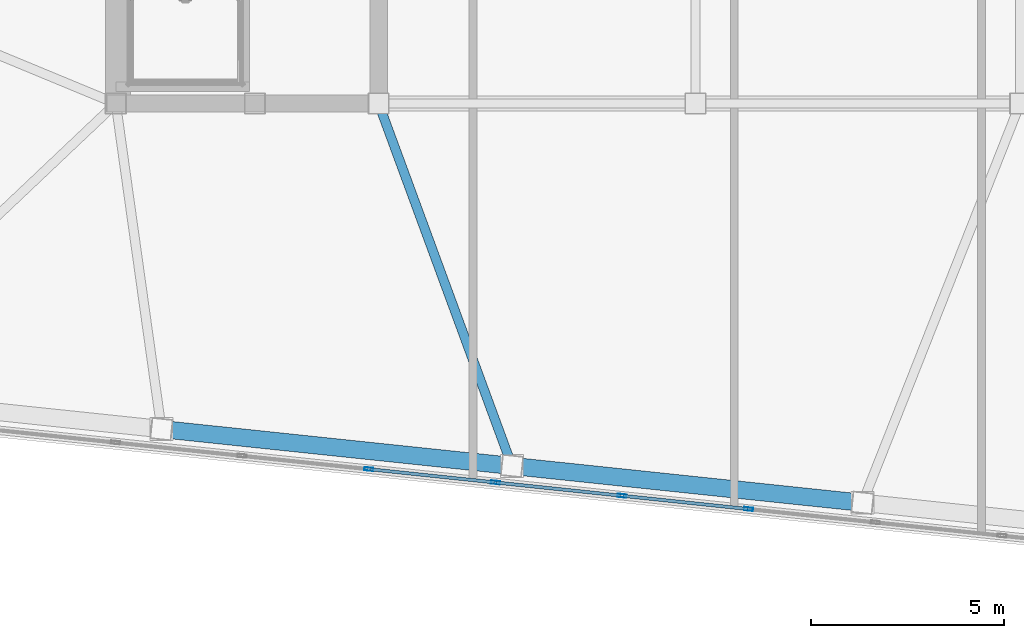
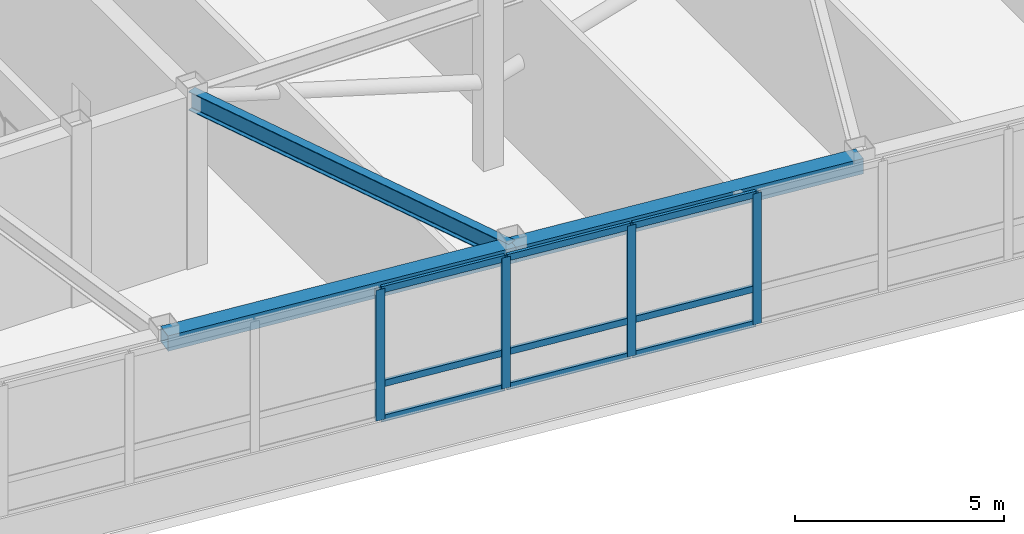
# One storey, part 4 of 23: 13 members, 3 beams, 1 element without a shape of its own.
"""IFC4 building model written with IfcOpenShell, lengths in metres."""

from ifc_helpers import new_model, si_unit, direction, frame, origin, origin_2d, place, context, subcontext, project, spatial, hollow_rectangle, i_section, extrude, material, layer, layer_set, material_profile, profile_set, type_object, element, aggregate, save


model = new_model("IFC4")

# Units and contexts
model_context = context("Model", 3, precision=1e-05, world=origin(), true_north=direction((0.0, 1.0)))
body_context = subcontext(model_context, "Body", "Model", "MODEL_VIEW")
ifc_project = project(units=[si_unit("LENGTHUNIT", "METRE"), si_unit("AREAUNIT", "SQUARE_METRE"), si_unit("VOLUMEUNIT", "CUBIC_METRE"), si_unit("PLANEANGLEUNIT", "RADIAN"), si_unit("MASSUNIT", "GRAM", prefix="KILO")], contexts=[model_context])

# Site, building, storey
site_placement = place(None, origin())
site = spatial("IfcSite", under=ifc_project, at=site_placement, CompositionType="ELEMENT")
building_placement = place(site_placement, origin())
building = spatial("IfcBuilding", under=site, at=building_placement, Name="Voryun Gate Residences", CompositionType="ELEMENT")
storey_placement = place(building_placement, frame((0.0, 0.0, 331.89990234375)))
storey = spatial("IfcBuildingStorey", under=building, at=storey_placement, Name="L81", CompositionType="ELEMENT", Elevation=331.89990234375)

# Beams
ifc_material_1 = material(Name="Steel SM355", Category="steel")
ifc_material_profile_1 = material_profile(ifc_material_1, hollow_rectangle(XDim=0.449951171875, YDim=0.449951171875, WallThickness=0.01806640625, at=origin_2d()), Name="BOX-450x450x18")
ifc_profile_set_1 = profile_set([ifc_material_profile_1], Name="Steel SM355")
beam_type_1 = type_object("IfcBeamType", Name="BM_CROWN_RING", PredefinedType="BEAM", material=ifc_profile_set_1)
beam_1_placement = place(storey_placement, frame((-18.0185546875, -15.824951171875, 4.800048828125), z_axis=(0.994521136856, -0.104535679778, 0.0), x_axis=(0.104535679778, 0.994521136856, 0.0)))
element("IfcBeam", 1, at=beam_1_placement, inside=storey, type_object=beam_type_1, Name="BM-L81-SPAND-02", PredefinedType="BEAM", context=body_context, shape_type="SweptSolid", body=[
    extrude(hollow_rectangle(XDim=0.449951171875, YDim=0.449951171875, WallThickness=0.01806640625, at=origin_2d()), origin(), (0.0, 0.0, 1.0), 9.1201171875),
])
beam_2_placement = place(storey_placement, frame((-8.948486328125, -16.7783203125, 4.800048828125), z_axis=(0.994520844313, -0.104538462908, 0.0), x_axis=(0.104538462908, 0.994520844313, 0.0)))
element("IfcBeam", 2, at=beam_2_placement, inside=storey, type_object=beam_type_1, Name="BM-L81-SPAND-03", PredefinedType="BEAM", context=body_context, shape_type="SweptSolid", body=[
    extrude(hollow_rectangle(XDim=0.449951171875, YDim=0.449951171875, WallThickness=0.01806640625, at=origin_2d()), origin(), (0.0, 0.0, 1.0), 9.119873046875),
])
ifc_material_2 = material(Name="Steel SM355", Category="steel")
ifc_material_profile_2 = material_profile(ifc_material_2, i_section(OverallWidth=0.239990234375, OverallDepth=0.550048828125, WebThickness=0.011962890625, FlangeThickness=0.02001953125, FilletRadius=0.01806640625, at=origin_2d()), Name="H-550x240x12x20")
ifc_profile_set_2 = profile_set([ifc_material_profile_2], Name="Steel SM355")
beam_type_2 = type_object("IfcBeamType", Name="BM_GIRD_550", PredefinedType="USERDEFINED", material=ifc_profile_set_2)
beam_3_placement = place(storey_placement, frame((-12.39990234375, -7.39990234375, 4.75), z_axis=(0.345371356654, -0.938466102746, 0.0), x_axis=(0.938466102746, 0.345371356654, 0.0)))
element("IfcBeam", 3, at=beam_3_placement, inside=storey, type_object=beam_type_2, Name="BM-L81-RAD-S3", ObjectType="GIRDER", PredefinedType="USERDEFINED", context=body_context, shape_type="SweptSolid", body=[
    extrude(i_section(OverallWidth=0.239990234375, OverallDepth=0.550048828125, WebThickness=0.011962890625, FlangeThickness=0.02001953125, FilletRadius=0.01806640625, at=origin_2d()), origin(), (0.0, 0.0, 1.0), 9.993408203125),
])

# Curtain wall, members
ifc_material_3 = material(Name="Anodised aluminium", Category="aluminium")
ifc_layer = layer(ifc_material_3, 0.22998046875, Name="CW_SYS_LANTERN_DARK_GLASS")
ifc_layer_set = layer_set([ifc_layer], Name="Anodised aluminium")
curtain_wall_type = type_object("IfcCurtainWallType", Name="CW_SYS_LANTERN_DARK_GLASS", PredefinedType="NOTDEFINED", material=ifc_layer_set)
curtain_wall_placement = place(storey_placement, origin())
curtain_wall = element("IfcCurtainWall", 4, at=curtain_wall_placement, inside=storey, type_object=curtain_wall_type, Name="Curtain wall CW6-L81-01", PredefinedType="NOTDEFINED")
ifc_material_4 = material(Name="Anodised aluminium", Category="aluminium")
ifc_material_profile_3 = material_profile(ifc_material_4, hollow_rectangle(XDim=0.0849609375, YDim=0.22998046875, WallThickness=0.006103515625, at=origin_2d()), Name="ALU-MULL-230x85x6")
ifc_profile_set_3 = profile_set([ifc_material_profile_3], Name="Anodised aluminium")
member_type_1 = type_object("IfcMemberType", Name="CW_MULL_LANT", PredefinedType="MULLION", material=ifc_profile_set_3)
member_1_placement = place(storey_placement, frame((-2.82421875, -17.89453125, 1.190185546875), z_axis=(0.0, 0.0, 1.0), x_axis=(-0.10452775858, -0.994521969434, 0.0)))
member_1 = element("IfcMember", 5, at=member_1_placement, type_object=member_type_1, Name="CW6 mullion 7", PredefinedType="MULLION", context=body_context, shape_type="SweptSolid", body=[
    extrude(hollow_rectangle(XDim=0.0849609375, YDim=0.22998046875, WallThickness=0.006103515625, at=origin_2d()), origin(), (0.0, 0.0, 1.0), 3.8349609375),
])
member_2_placement = place(storey_placement, frame((-6.10107421875, -17.55029296875, 1.190185546875), z_axis=(0.0, 0.0, 1.0), x_axis=(-0.10452775858, -0.994521969434, 0.0)))
member_2 = element("IfcMember", 6, at=member_2_placement, type_object=member_type_1, Name="CW6 mullion 8", PredefinedType="MULLION", context=body_context, shape_type="SweptSolid", body=[
    extrude(hollow_rectangle(XDim=0.0849609375, YDim=0.22998046875, WallThickness=0.006103515625, at=origin_2d()), origin(), (0.0, 0.0, 1.0), 3.8349609375),
])
member_3_placement = place(storey_placement, frame((-9.377685546875, -17.205810546875, 1.190185546875), z_axis=(0.0, 0.0, 1.0), x_axis=(-0.10452775858, -0.994521969434, 0.0)))
member_3 = element("IfcMember", 7, at=member_3_placement, type_object=member_type_1, Name="CW6 mullion 9", PredefinedType="MULLION", context=body_context, shape_type="SweptSolid", body=[
    extrude(hollow_rectangle(XDim=0.0849609375, YDim=0.22998046875, WallThickness=0.006103515625, at=origin_2d()), origin(), (0.0, 0.0, 1.0), 3.8349609375),
])
member_4_placement = place(storey_placement, frame((-12.654296875, -16.861328125, 1.190185546875), z_axis=(0.0, 0.0, 1.0), x_axis=(-0.10452775858, -0.994521969434, 0.0)))
member_4 = element("IfcMember", 8, at=member_4_placement, type_object=member_type_1, Name="CW6 mullion 10", PredefinedType="MULLION", context=body_context, shape_type="SweptSolid", body=[
    extrude(hollow_rectangle(XDim=0.0849609375, YDim=0.22998046875, WallThickness=0.006103515625, at=origin_2d()), origin(), (0.0, 0.0, 1.0), 3.8349609375),
])
ifc_material_5 = material(Name="Anodised aluminium", Category="aluminium")
ifc_material_profile_4 = material_profile(ifc_material_5, hollow_rectangle(XDim=0.0849609375, YDim=0.18994140625, WallThickness=0.006103515625, at=origin_2d()), Name="ALU-TRAN-190x85x6")
ifc_profile_set_4 = profile_set([ifc_material_profile_4], Name="Anodised aluminium")
member_type_2 = type_object("IfcMemberType", Name="CW_TRAN_LANT", PredefinedType="USERDEFINED", material=ifc_profile_set_4)
member_5_placement = place(storey_placement, frame((-2.854248046875, -17.891357421875, 1.22021484375), z_axis=(-0.994520745033, 0.104539407398, 0.0), x_axis=(-0.104539407398, -0.994520745033, 0.0)))
member_5 = element("IfcMember", 9, at=member_5_placement, type_object=member_type_2, Name="CW6 transom 7.1", ObjectType="TRANSOM", PredefinedType="USERDEFINED", context=body_context, shape_type="SweptSolid", body=[
    extrude(hollow_rectangle(XDim=0.0849609375, YDim=0.18994140625, WallThickness=0.006103515625, at=origin_2d()), origin(), (0.0, 0.0, 1.0), 3.234619140625),
])
member_6_placement = place(storey_placement, frame((-2.854248046875, -17.891357421875, 2.239990234375), z_axis=(-0.994520745033, 0.104539407398, 0.0), x_axis=(-0.104539407398, -0.994520745033, 0.0)))
member_6 = element("IfcMember", 10, at=member_6_placement, type_object=member_type_2, Name="CW6 transom 7.2", ObjectType="TRANSOM", PredefinedType="USERDEFINED", context=body_context, shape_type="SweptSolid", body=[
    extrude(hollow_rectangle(XDim=0.0849609375, YDim=0.18994140625, WallThickness=0.006103515625, at=origin_2d()), origin(), (0.0, 0.0, 1.0), 3.234619140625),
])
member_7_placement = place(storey_placement, frame((-2.854248046875, -17.891357421875, 4.9951171875), z_axis=(-0.994520745033, 0.104539407398, 0.0), x_axis=(-0.104539407398, -0.994520745033, 0.0)))
member_7 = element("IfcMember", 11, at=member_7_placement, type_object=member_type_2, Name="CW6 transom 7.3", ObjectType="TRANSOM", PredefinedType="USERDEFINED", context=body_context, shape_type="SweptSolid", body=[
    extrude(hollow_rectangle(XDim=0.0849609375, YDim=0.18994140625, WallThickness=0.006103515625, at=origin_2d()), origin(), (0.0, 0.0, 1.0), 3.234619140625),
])
member_8_placement = place(storey_placement, frame((-6.130859375, -17.547119140625, 1.22021484375), z_axis=(-0.994520745033, 0.104539407398, 0.0), x_axis=(-0.104539407398, -0.994520745033, 0.0)))
member_8 = element("IfcMember", 12, at=member_8_placement, type_object=member_type_2, Name="CW6 transom 8.1", ObjectType="TRANSOM", PredefinedType="USERDEFINED", context=body_context, shape_type="SweptSolid", body=[
    extrude(hollow_rectangle(XDim=0.0849609375, YDim=0.18994140625, WallThickness=0.006103515625, at=origin_2d()), origin(), (0.0, 0.0, 1.0), 3.234619140625),
])
member_9_placement = place(storey_placement, frame((-6.130859375, -17.547119140625, 2.239990234375), z_axis=(-0.994520745033, 0.104539407398, 0.0), x_axis=(-0.104539407398, -0.994520745033, 0.0)))
member_9 = element("IfcMember", 13, at=member_9_placement, type_object=member_type_2, Name="CW6 transom 8.2", ObjectType="TRANSOM", PredefinedType="USERDEFINED", context=body_context, shape_type="SweptSolid", body=[
    extrude(hollow_rectangle(XDim=0.0849609375, YDim=0.18994140625, WallThickness=0.006103515625, at=origin_2d()), origin(), (0.0, 0.0, 1.0), 3.234619140625),
])
member_10_placement = place(storey_placement, frame((-6.130859375, -17.547119140625, 4.9951171875), z_axis=(-0.994520745033, 0.104539407398, 0.0), x_axis=(-0.104539407398, -0.994520745033, 0.0)))
member_10 = element("IfcMember", 14, at=member_10_placement, type_object=member_type_2, Name="CW6 transom 8.3", ObjectType="TRANSOM", PredefinedType="USERDEFINED", context=body_context, shape_type="SweptSolid", body=[
    extrude(hollow_rectangle(XDim=0.0849609375, YDim=0.18994140625, WallThickness=0.006103515625, at=origin_2d()), origin(), (0.0, 0.0, 1.0), 3.234619140625),
])
member_11_placement = place(storey_placement, frame((-9.407470703125, -17.20263671875, 1.22021484375), z_axis=(-0.994520745033, 0.104539407398, 0.0), x_axis=(-0.104539407398, -0.994520745033, 0.0)))
member_11 = element("IfcMember", 15, at=member_11_placement, type_object=member_type_2, Name="CW6 transom 9.1", ObjectType="TRANSOM", PredefinedType="USERDEFINED", context=body_context, shape_type="SweptSolid", body=[
    extrude(hollow_rectangle(XDim=0.0849609375, YDim=0.18994140625, WallThickness=0.006103515625, at=origin_2d()), origin(), (0.0, 0.0, 1.0), 3.234619140625),
])
member_12_placement = place(storey_placement, frame((-9.407470703125, -17.20263671875, 2.239990234375), z_axis=(-0.994520745033, 0.104539407398, 0.0), x_axis=(-0.104539407398, -0.994520745033, 0.0)))
member_12 = element("IfcMember", 16, at=member_12_placement, type_object=member_type_2, Name="CW6 transom 9.2", ObjectType="TRANSOM", PredefinedType="USERDEFINED", context=body_context, shape_type="SweptSolid", body=[
    extrude(hollow_rectangle(XDim=0.0849609375, YDim=0.18994140625, WallThickness=0.006103515625, at=origin_2d()), origin(), (0.0, 0.0, 1.0), 3.234619140625),
])
member_13_placement = place(storey_placement, frame((-9.407470703125, -17.20263671875, 4.9951171875), z_axis=(-0.994520745033, 0.104539407398, 0.0), x_axis=(-0.104539407398, -0.994520745033, 0.0)))
member_13 = element("IfcMember", 17, at=member_13_placement, type_object=member_type_2, Name="CW6 transom 9.3", ObjectType="TRANSOM", PredefinedType="USERDEFINED", context=body_context, shape_type="SweptSolid", body=[
    extrude(hollow_rectangle(XDim=0.0849609375, YDim=0.18994140625, WallThickness=0.006103515625, at=origin_2d()), origin(), (0.0, 0.0, 1.0), 3.234619140625),
])
aggregate(curtain_wall, [member_1, member_2, member_3, member_4, member_5, member_6, member_7, member_8, member_9, member_10, member_11, member_12, member_13])

save(model, "model.ifc")
